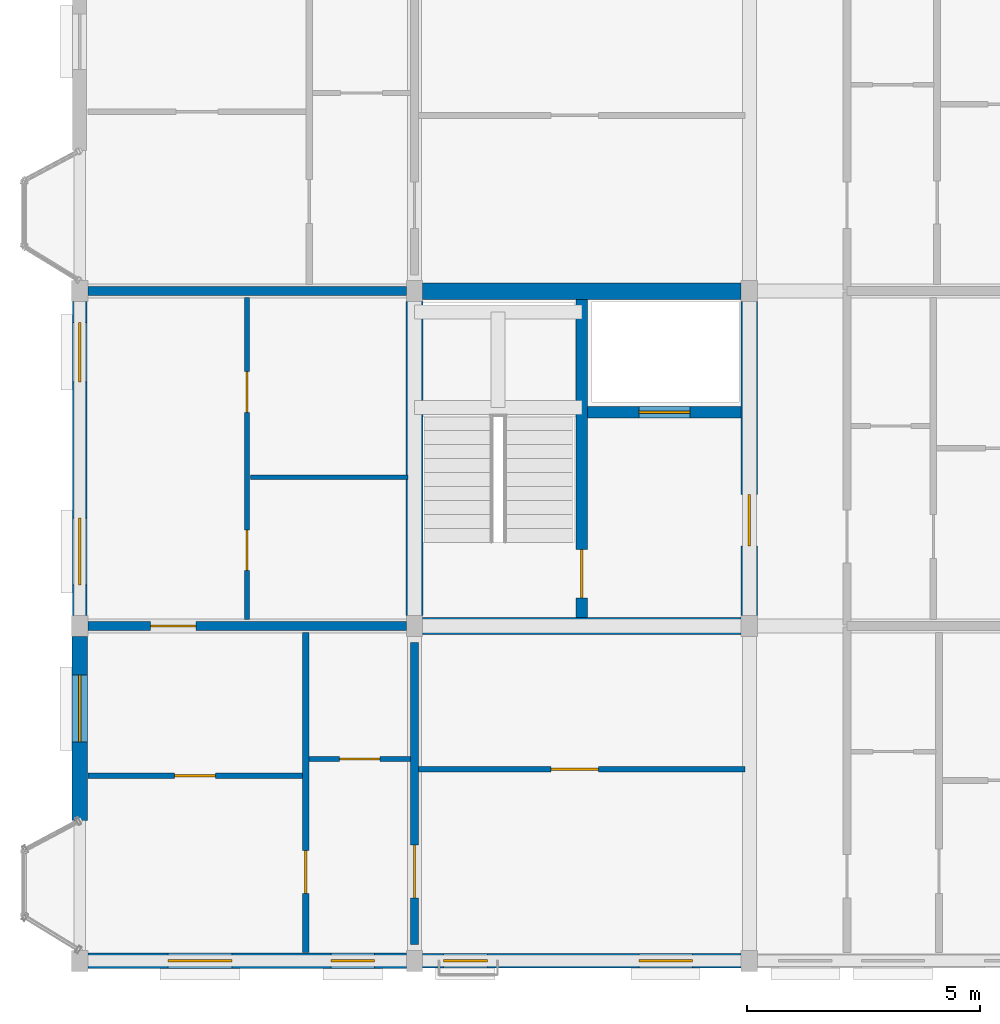
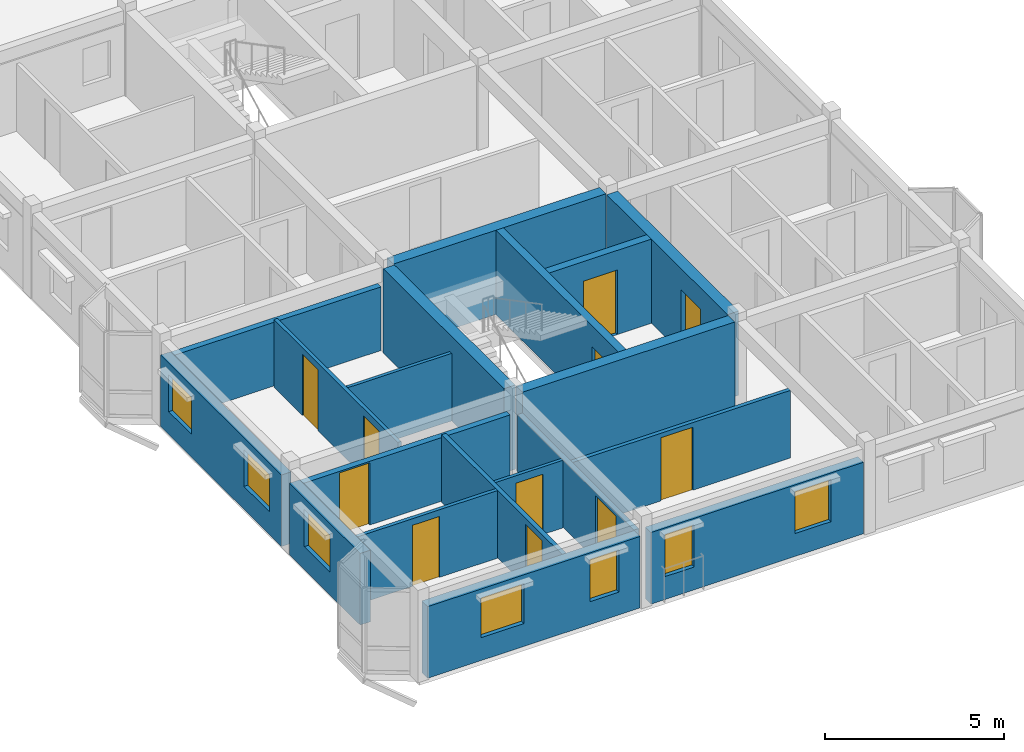
# One storey, part 16 of 22: 19 walls, 11 doors, 7 windows, 18 openings.
"""IFC4 building model written with IfcOpenShell, lengths in metres."""

from ifc_helpers import new_model, si_unit, direction, frame, frame_2d, origin, place, context, subcontext, project, spatial, rectangle, extrude, material, layer, layer_set, type_object, element, fill, save


model = new_model("IFC4")

# Units and contexts
model_context = context("Model", 3, precision=1e-05, world=origin(), true_north=direction((0.0, 1.0)))
body_context = subcontext(model_context, "Body", "Model", "MODEL_VIEW")
ifc_project = project(units=[si_unit("LENGTHUNIT", "METRE"), si_unit("AREAUNIT", "SQUARE_METRE"), si_unit("VOLUMEUNIT", "CUBIC_METRE"), si_unit("PLANEANGLEUNIT", "RADIAN"), si_unit("MASSUNIT", "GRAM", prefix="KILO"), si_unit("THERMODYNAMICTEMPERATUREUNIT", "KELVIN"), si_unit("POWERUNIT", "WATT")], contexts=[model_context])

# Site, building, storey
site_placement = place(None, origin())
site = spatial("IfcSite", under=ifc_project, at=site_placement, CompositionType="ELEMENT")
building_placement = place(site_placement, origin())
building = spatial("IfcBuilding", under=site, at=building_placement, Name="Tavuni Mirador Residences", CompositionType="ELEMENT")
storey_placement = place(building_placement, frame((0.0, 0.0, 45.449951171875)))
storey = spatial("IfcBuildingStorey", under=building, at=storey_placement, Name="L14", CompositionType="ELEMENT", Elevation=45.449951171875)

# Wall, opening, door
ifc_material_1 = material(Name="Precast concrete C40/50", Category="concrete")
ifc_layer_1 = layer(ifc_material_1, 0.25, Name="Precast concrete C40/50", Category="concrete")
ifc_layer_set_1 = layer_set([ifc_layer_1], Name="Precast concrete C40/50")
wall_type_1 = type_object("IfcWallType", Name="WT-COR250", PredefinedType="SHEAR", material=ifc_layer_set_1)
wall_1_placement = place(storey_placement, frame((14.39990234375, 14.580078125, 0.0), z_axis=(0.0, 0.0, 1.0), x_axis=(0.0, 1.0, 0.0)))
wall_1 = element("IfcWall", 1, at=wall_1_placement, inside=storey, type_object=wall_type_1, Name="CWALL-C1-L14-MID", PredefinedType="SHEAR", context=body_context, shape_type="SweptSolid", body=[
    extrude(rectangle(XDim=6.83984375, YDim=0.25, at=frame_2d((3.419921875, 0.0))), origin(), (0.0, 0.0, 1.0), 2.8701171875),
])
opening_1_placement = place(wall_1_placement, frame((0.419921875, 0.0, 0.0)))
opening_1 = element("IfcOpeningElement", 2, at=opening_1_placement, cuts=wall_1, Name="Opening D-01", PredefinedType="OPENING", context=body_context, shape_type="SweptSolid", body=[
    extrude(rectangle(XDim=1.050048828125, YDim=2.14990234375, at=frame_2d((0.52490234375, 1.074951171875))), frame((0.0, 0.135009765625, 0.0), z_axis=(0.0, -1.0, 0.0), x_axis=(1.0, 0.0, 0.0)), (0.0, 0.0, 1.0), 0.27001953125),
])
ifc_material_2 = material(Name="Solid core iroko timber", Category="wood")
door_type_1 = type_object("IfcDoorType", Name="DT-ST1050", OperationType="NOTDEFINED", PredefinedType="DOOR", material=ifc_material_2)
door_1_placement = place(opening_1_placement, origin())
door_1 = element("IfcDoor", 3, at=door_1_placement, inside=storey, type_object=door_type_1, Name="DR-2049", OperationType="SINGLE_SWING_LEFT", OverallHeight=2.14990234375, OverallWidth=1.050048828125, PredefinedType="DOOR", context=body_context, shape_type="SweptSolid", body=[
    extrude(rectangle(XDim=1.050048828125, YDim=2.14990234375, at=frame_2d((0.52490234375, 1.074951171875))), frame((0.0, 0.02490234375, 0.0), z_axis=(0.0, -1.0, 0.0), x_axis=(1.0, 0.0, 0.0)), (0.0, 0.0, 1.0), 0.050048828125),
])
fill(opening_1, door_1)

wall_2_placement = place(storey_placement, frame((14.52490234375, 19.0, 0.0), z_axis=(0.0, 0.0, 1.0), x_axis=(1.0, 0.0, 0.0)))
wall_2 = element("IfcWall", 4, at=wall_2_placement, inside=storey, type_object=wall_type_1, Name="CWALL-C1-L14-SHF", PredefinedType="SHEAR", context=body_context, shape_type="SweptSolid", body=[
    extrude(rectangle(XDim=3.295166015625, YDim=0.25, at=frame_2d((1.6474609375, 0.0))), origin(), (0.0, 0.0, 1.0), 2.8701171875),
])
opening_2_placement = place(wall_2_placement, frame((1.10009765625, 0.0, 0.0)))
opening_2 = element("IfcOpeningElement", 5, at=opening_2_placement, cuts=wall_2, Name="Opening LD-01", PredefinedType="OPENING", context=body_context, shape_type="SweptSolid", body=[
    extrude(rectangle(XDim=1.10009765625, YDim=2.199951171875, at=frame_2d((0.550048828125, 1.10009765625))), frame((0.0, 0.135009765625, 0.0), z_axis=(0.0, -1.0, 0.0), x_axis=(1.0, 0.0, 0.0)), (0.0, 0.0, 1.0), 0.27001953125),
])
ifc_material_3 = material(Name="Structural steel S355", Category="steel")
door_type_2 = type_object("IfcDoorType", Name="DT-LD-FF", OperationType="SLIDING_TO_LEFT", PredefinedType="DOOR", material=ifc_material_3)
door_2_placement = place(opening_2_placement, origin())
door_2 = element("IfcDoor", 6, at=door_2_placement, inside=storey, type_object=door_type_2, Name="Lift landing door FL-A1 L14", OperationType="SLIDING_TO_LEFT", OverallHeight=2.199951171875, OverallWidth=1.10009765625, PredefinedType="DOOR", context=body_context, shape_type="SweptSolid", body=[
    extrude(rectangle(XDim=1.10009765625, YDim=2.199951171875, at=frame_2d((0.550048828125, 1.10009765625))), frame((0.0, 0.02490234375, 0.0), z_axis=(0.0, -1.0, 0.0), x_axis=(1.0, 0.0, 0.0)), (0.0, 0.0, 1.0), 0.050048828125),
])
fill(opening_2, door_2)

# Walls
ifc_layer_2 = layer(ifc_material_1, 0.360107421875, Name="Precast concrete C40/50", Category="concrete")
ifc_layer_set_2 = layer_set([ifc_layer_2], Name="Precast concrete C40/50")
wall_type_2 = type_object("IfcWallType", Name="WT-COR360", PredefinedType="SHEAR", material=ifc_layer_set_2)
wall_3_placement = place(storey_placement, frame((10.800048828125, 14.625, 0.0), z_axis=(0.0, 0.0, 1.0), x_axis=(0.0, 1.0, 0.0)))
element("IfcWall", 7, at=wall_3_placement, inside=storey, type_object=wall_type_2, Name="CWALL-C1-L14-W", PredefinedType="SHEAR", context=body_context, shape_type="SweptSolid", body=[
    extrude(rectangle(XDim=6.75, YDim=0.360107421875, at=frame_2d((3.375, 0.0))), origin(), (0.0, 0.0, 1.0), 2.8701171875),
])
wall_4_placement = place(storey_placement, frame((10.97509765625, 21.60009765625, 0.0), z_axis=(0.0, 0.0, 1.0), x_axis=(1.0, 0.0, 0.0)))
element("IfcWall", 8, at=wall_4_placement, inside=storey, type_object=wall_type_2, Name="CWALL-C1-L14-N", PredefinedType="SHEAR", context=body_context, shape_type="SweptSolid", body=[
    extrude(rectangle(XDim=6.849853515625, YDim=0.360107421875, at=frame_2d((3.4248046875, 0.0))), origin(), (0.0, 0.0, 1.0), 2.8701171875),
])

# Wall, opening, door
wall_5_placement = place(storey_placement, frame((18.0, 14.625, 0.0), z_axis=(0.0, 0.0, 1.0), x_axis=(0.0, 1.0, 0.0)))
wall_5 = element("IfcWall", 9, at=wall_5_placement, inside=storey, type_object=wall_type_2, Name="CWALL-C1-L14-E", PredefinedType="SHEAR", context=body_context, shape_type="SweptSolid", body=[
    extrude(rectangle(XDim=6.75, YDim=0.360107421875, at=frame_2d((3.375, 0.0))), origin(), (0.0, 0.0, 1.0), 2.8701171875),
])
opening_3_placement = place(wall_5_placement, frame((1.5, 0.0, 0.0)))
opening_3 = element("IfcOpeningElement", 10, at=opening_3_placement, cuts=wall_5, Name="Opening D-02", PredefinedType="OPENING", context=body_context, shape_type="SweptSolid", body=[
    extrude(rectangle(XDim=1.10009765625, YDim=2.14990234375, at=frame_2d((0.550048828125, 1.074951171875))), frame((0.0, 0.18994140625, 0.0), z_axis=(0.0, -1.0, 0.0), x_axis=(1.0, 0.0, 0.0)), (0.0, 0.0, 1.0), 0.380126953125),
])
door_type_3 = type_object("IfcDoorType", Name="DT-LOB1100", OperationType="NOTDEFINED", PredefinedType="DOOR", material=ifc_material_2)
door_3_placement = place(opening_3_placement, frame((1.10009765625, 0.0, 0.0), z_axis=(0.0, 0.0, 1.0), x_axis=(-1.0, 0.0, 0.0)))
door_3 = element("IfcDoor", 11, at=door_3_placement, inside=storey, type_object=door_type_3, Name="DR-2048", OperationType="SINGLE_SWING_LEFT", OverallHeight=2.14990234375, OverallWidth=1.10009765625, PredefinedType="DOOR", context=body_context, shape_type="SweptSolid", body=[
    extrude(rectangle(XDim=1.10009765625, YDim=2.14990234375, at=frame_2d((0.550048828125, 1.074951171875))), frame((0.0, 0.02490234375, 0.0), z_axis=(0.0, -1.0, 0.0), x_axis=(1.0, 0.0, 0.0)), (0.0, 0.0, 1.0), 0.050048828125),
])
fill(opening_3, door_3)

# Wall
wall_6_placement = place(storey_placement, frame((10.97509765625, 14.39990234375, 0.0), z_axis=(0.0, 0.0, 1.0), x_axis=(1.0, 0.0, 0.0)))
element("IfcWall", 12, at=wall_6_placement, inside=storey, type_object=wall_type_2, Name="CWALL-C1-L14-SS", PredefinedType="SHEAR", context=body_context, shape_type="SweptSolid", body=[
    extrude(rectangle(XDim=6.849853515625, YDim=0.360107421875, at=frame_2d((3.4248046875, 0.0))), origin(), (0.0, 0.0, 1.0), 2.8701171875),
])

# Wall, opening, door
ifc_layer_3 = layer(ifc_material_1, 0.1650390625, Name="Precast concrete C40/50", Category="concrete")
ifc_layer_set_3 = layer_set([ifc_layer_3], Name="Precast concrete C40/50")
wall_type_3 = type_object("IfcWallType", Name="WT-CORR165", PredefinedType="PARTITIONING", material=ifc_layer_set_3)
wall_7_placement = place(storey_placement, frame((10.800048828125, 7.550048828125, 0.0), z_axis=(0.0, 0.0, 1.0), x_axis=(0.0, 1.0, 0.0)))
wall_7 = element("IfcWall", 13, at=wall_7_placement, inside=storey, type_object=wall_type_3, Name="CORW-BLK-A-L14-1-00", PredefinedType="PARTITIONING", context=body_context, shape_type="SweptSolid", body=[
    extrude(rectangle(XDim=6.5, YDim=0.1650390625, at=frame_2d((3.25, 0.0))), origin(), (0.0, 0.0, 1.0), 2.304931640625),
])
opening_4_placement = place(wall_7_placement, frame((1.0, 0.0, 0.0)))
opening_4 = element("IfcOpeningElement", 14, at=opening_4_placement, cuts=wall_7, Name="Opening D-20", PredefinedType="OPENING", context=body_context, shape_type="SweptSolid", body=[
    extrude(rectangle(XDim=1.139892578125, YDim=2.179931640625, at=frame_2d((0.56982421875, 1.08984375))), frame((0.0, 0.092529296875, 0.0), z_axis=(0.0, -1.0, 0.0), x_axis=(1.0, 0.0, 0.0)), (0.0, 0.0, 1.0), 0.18505859375),
])
door_type_4 = type_object("IfcDoorType", Name="DT-FD60-1140", OperationType="NOTDEFINED", PredefinedType="DOOR", material=ifc_material_2)
door_4_placement = place(opening_4_placement, origin())
door_4 = element("IfcDoor", 15, at=door_4_placement, inside=storey, type_object=door_type_4, Name="DR-2513", OperationType="SINGLE_SWING_RIGHT", OverallHeight=2.179931640625, OverallWidth=1.139892578125, PredefinedType="DOOR", context=body_context, shape_type="SweptSolid", body=[
    extrude(rectangle(XDim=1.139892578125, YDim=2.179931640625, at=frame_2d((0.56982421875, 1.08984375))), frame((0.0, 0.02490234375, 0.0), z_axis=(0.0, -1.0, 0.0), x_axis=(1.0, 0.0, 0.0)), (0.0, 0.0, 1.0), 0.050048828125),
])
fill(opening_4, door_4)

# Wall, openings, windows
ifc_layer_4 = layer(ifc_material_1, 0.330078125, Name="Precast concrete C40/50", Category="concrete")
ifc_layer_set_4 = layer_set([ifc_layer_4], Name="Precast concrete C40/50")
wall_type_4 = type_object("IfcWallType", Name="WT-EXT-COR330", PredefinedType="SOLIDWALL", material=ifc_layer_set_4)
wall_8_placement = place(storey_placement, frame((3.77490234375, 7.199951171875, 0.0), z_axis=(0.0, 0.0, 1.0), x_axis=(1.0, 0.0, 0.0)))
wall_8 = element("IfcWall", 16, at=wall_8_placement, inside=storey, type_object=wall_type_4, Name="EW-BLK-A-L14-S00", PredefinedType="SOLIDWALL", context=body_context, shape_type="SweptSolid", body=[
    extrude(rectangle(XDim=6.85009765625, YDim=0.330078125, at=frame_2d((3.425048828125, 0.0))), origin(), (0.0, 0.0, 1.0), 2.43994140625),
])
opening_5_placement = place(wall_8_placement, frame((1.722412109375, 0.0, 0.780029296875)))
opening_5 = element("IfcOpeningElement", 17, at=opening_5_placement, cuts=wall_8, Name="Opening WN-23", PredefinedType="OPENING", context=body_context, shape_type="SweptSolid", body=[
    extrude(rectangle(XDim=1.3798828125, YDim=1.360107421875, at=frame_2d((0.68994140625, 0.68017578125))), frame((0.0, 0.175048828125, 0.0), z_axis=(0.0, -1.0, 0.0), x_axis=(1.0, 0.0, 0.0)), (0.0, 0.0, 1.0), 0.35009765625),
])
opening_6_placement = place(wall_8_placement, frame((5.2275390625, 0.0, 0.780029296875)))
opening_6 = element("IfcOpeningElement", 18, at=opening_6_placement, cuts=wall_8, Name="Opening WN-25", PredefinedType="OPENING", context=body_context, shape_type="SweptSolid", body=[
    extrude(rectangle(XDim=0.93994140625, YDim=1.43994140625, at=frame_2d((0.469970703125, 0.719970703125))), frame((0.0, 0.175048828125, 0.0), z_axis=(0.0, -1.0, 0.0), x_axis=(1.0, 0.0, 0.0)), (0.0, 0.0, 1.0), 0.35009765625),
])
ifc_material_4 = material(Name="Laminated solar-control glass", Category="glass")
window_type_1 = type_object("IfcWindowType", Name="WNT-23", PartitioningType="SINGLE_PANEL", PredefinedType="WINDOW", material=ifc_material_4)
window_1_placement = place(opening_5_placement, origin())
window_1 = element("IfcWindow", 19, at=window_1_placement, inside=storey, type_object=window_type_1, Name="WIN-0488", OverallHeight=1.360107421875, OverallWidth=1.3798828125, PartitioningType="SINGLE_PANEL", PredefinedType="WINDOW", context=body_context, shape_type="SweptSolid", body=[
    extrude(rectangle(XDim=1.3798828125, YDim=1.360107421875, at=frame_2d((0.68994140625, 0.68017578125))), frame((0.0, 0.030029296875, 0.0), z_axis=(0.0, -1.0, 0.0), x_axis=(1.0, 0.0, 0.0)), (0.0, 0.0, 1.0), 0.06005859375),
])
fill(opening_5, window_1)
window_type_2 = type_object("IfcWindowType", Name="WNT-25", PartitioningType="SINGLE_PANEL", PredefinedType="WINDOW", material=ifc_material_4)
window_2_placement = place(opening_6_placement, origin())
window_2 = element("IfcWindow", 20, at=window_2_placement, inside=storey, type_object=window_type_2, Name="WIN-0489", OverallHeight=1.43994140625, OverallWidth=0.93994140625, PartitioningType="SINGLE_PANEL", PredefinedType="WINDOW", context=body_context, shape_type="SweptSolid", body=[
    extrude(rectangle(XDim=0.93994140625, YDim=1.43994140625, at=frame_2d((0.469970703125, 0.719970703125))), frame((0.0, 0.030029296875, 0.0), z_axis=(0.0, -1.0, 0.0), x_axis=(1.0, 0.0, 0.0)), (0.0, 0.0, 1.0), 0.06005859375),
])
fill(opening_6, window_2)

# Wall, opening, window
wall_9_placement = place(storey_placement, frame((3.60009765625, 14.175048828125, 0.0), z_axis=(0.0, 0.0, 1.0), x_axis=(0.0, -1.0, 0.0)))
wall_9 = element("IfcWall", 21, at=wall_9_placement, inside=storey, type_object=wall_type_4, Name="EW-BLK-A-L14-W00", PredefinedType="SOLIDWALL", context=body_context, shape_type="SweptSolid", body=[
    extrude(rectangle(XDim=3.955078125, YDim=0.330078125, at=frame_2d((1.9775390625, 0.0))), origin(), (0.0, 0.0, 1.0), 2.43994140625),
])
opening_7_placement = place(wall_9_placement, frame((0.83251953125, 0.0, 0.780029296875)))
opening_7 = element("IfcOpeningElement", 22, at=opening_7_placement, cuts=wall_9, Name="Opening WN-16", PredefinedType="OPENING", context=body_context, shape_type="SweptSolid", body=[
    extrude(rectangle(XDim=1.43994140625, YDim=1.260009765625, at=frame_2d((0.719970703125, 0.6298828125))), frame((0.0, 0.175048828125, 0.0), z_axis=(0.0, -1.0, 0.0), x_axis=(1.0, 0.0, 0.0)), (0.0, 0.0, 1.0), 0.35009765625),
])
window_type_3 = type_object("IfcWindowType", Name="WNT-16", PartitioningType="SINGLE_PANEL", PredefinedType="WINDOW", material=ifc_material_4)
window_3_placement = place(opening_7_placement, origin())
window_3 = element("IfcWindow", 23, at=window_3_placement, inside=storey, type_object=window_type_3, Name="WIN-0511", OverallHeight=1.260009765625, OverallWidth=1.43994140625, PartitioningType="SINGLE_PANEL", PredefinedType="WINDOW", context=body_context, shape_type="SweptSolid", body=[
    extrude(rectangle(XDim=1.43994140625, YDim=1.260009765625, at=frame_2d((0.719970703125, 0.6298828125))), frame((0.0, 0.030029296875, 0.0), z_axis=(0.0, -1.0, 0.0), x_axis=(1.0, 0.0, 0.0)), (0.0, 0.0, 1.0), 0.06005859375),
])
fill(opening_7, window_3)

# Wall, openings, windows
ifc_material_5 = material(Name="Sgraffito lime-rendered precast concrete C40/50", Category="concrete")
ifc_layer_5 = layer(ifc_material_5, 0.31494140625, Name="Sgraffito lime-rendered precast concrete C40/50", Category="concrete")
ifc_layer_set_5 = layer_set([ifc_layer_5], Name="Sgraffito lime-rendered precast concrete C40/50")
wall_type_5 = type_object("IfcWallType", Name="WT-EXT-PC315", PredefinedType="SOLIDWALL", material=ifc_layer_set_5)
wall_10_placement = place(storey_placement, frame((10.97509765625, 7.199951171875, 0.0), z_axis=(0.0, 0.0, 1.0), x_axis=(1.0, 0.0, 0.0)))
wall_10 = element("IfcWall", 24, at=wall_10_placement, inside=storey, type_object=wall_type_5, Name="EW-BLK-A-L14-S01", PredefinedType="SOLIDWALL", context=body_context, shape_type="SweptSolid", body=[
    extrude(rectangle(XDim=6.849853515625, YDim=0.31494140625, at=frame_2d((3.4248046875, 0.0))), origin(), (0.0, 0.0, 1.0), 2.43994140625),
])
opening_8_placement = place(wall_10_placement, frame((0.449951171875, 0.0, 0.780029296875)))
opening_8 = element("IfcOpeningElement", 25, at=opening_8_placement, cuts=wall_10, Name="Opening WN-25", PredefinedType="OPENING", context=body_context, shape_type="SweptSolid", body=[
    extrude(rectangle(XDim=0.93994140625, YDim=1.43994140625, at=frame_2d((0.469970703125, 0.719970703125))), frame((0.0, 0.16748046875, 0.0), z_axis=(0.0, -1.0, 0.0), x_axis=(1.0, 0.0, 0.0)), (0.0, 0.0, 1.0), 0.3349609375),
])
opening_9_placement = place(wall_10_placement, frame((4.64990234375, 0.0, 0.780029296875)))
opening_9 = element("IfcOpeningElement", 26, at=opening_9_placement, cuts=wall_10, Name="Opening WN-27", PredefinedType="OPENING", context=body_context, shape_type="SweptSolid", body=[
    extrude(rectangle(XDim=1.14990234375, YDim=1.43994140625, at=frame_2d((0.574951171875, 0.719970703125))), frame((0.0, 0.16748046875, 0.0), z_axis=(0.0, -1.0, 0.0), x_axis=(1.0, 0.0, 0.0)), (0.0, 0.0, 1.0), 0.3349609375),
])
window_4_placement = place(opening_8_placement, origin())
window_4 = element("IfcWindow", 27, at=window_4_placement, inside=storey, type_object=window_type_2, Name="WIN-0490", OverallHeight=1.43994140625, OverallWidth=0.93994140625, PartitioningType="SINGLE_PANEL", PredefinedType="WINDOW", context=body_context, shape_type="SweptSolid", body=[
    extrude(rectangle(XDim=0.93994140625, YDim=1.43994140625, at=frame_2d((0.469970703125, 0.719970703125))), frame((0.0, 0.030029296875, 0.0), z_axis=(0.0, -1.0, 0.0), x_axis=(1.0, 0.0, 0.0)), (0.0, 0.0, 1.0), 0.06005859375),
])
fill(opening_8, window_4)
window_type_4 = type_object("IfcWindowType", Name="WNT-27", PartitioningType="SINGLE_PANEL", PredefinedType="WINDOW", material=ifc_material_4)
window_5_placement = place(opening_9_placement, origin())
window_5 = element("IfcWindow", 28, at=window_5_placement, inside=storey, type_object=window_type_4, Name="WIN-0491", OverallHeight=1.43994140625, OverallWidth=1.14990234375, PartitioningType="SINGLE_PANEL", PredefinedType="WINDOW", context=body_context, shape_type="SweptSolid", body=[
    extrude(rectangle(XDim=1.14990234375, YDim=1.43994140625, at=frame_2d((0.574951171875, 0.719970703125))), frame((0.0, 0.030029296875, 0.0), z_axis=(0.0, -1.0, 0.0), x_axis=(1.0, 0.0, 0.0)), (0.0, 0.0, 1.0), 0.06005859375),
])
fill(opening_9, window_5)

wall_11_placement = place(storey_placement, frame((3.60009765625, 21.375, 0.0), z_axis=(0.0, 0.0, 1.0), x_axis=(0.0, -1.0, 0.0)))
wall_11 = element("IfcWall", 29, at=wall_11_placement, inside=storey, type_object=wall_type_5, Name="EW-BLK-A-L14-W01", PredefinedType="SOLIDWALL", context=body_context, shape_type="SweptSolid", body=[
    extrude(rectangle(XDim=6.75, YDim=0.31494140625, at=frame_2d((3.375, 0.0))), origin(), (0.0, 0.0, 1.0), 2.43994140625),
])
opening_10_placement = place(wall_11_placement, frame((0.449951171875, 0.0, 0.780029296875)))
opening_10 = element("IfcOpeningElement", 30, at=opening_10_placement, cuts=wall_11, Name="Opening WN-14", PredefinedType="OPENING", context=body_context, shape_type="SweptSolid", body=[
    extrude(rectangle(XDim=1.280029296875, YDim=1.260009765625, at=frame_2d((0.64013671875, 0.6298828125))), frame((0.0, 0.16748046875, 0.0), z_axis=(0.0, -1.0, 0.0), x_axis=(1.0, 0.0, 0.0)), (0.0, 0.0, 1.0), 0.3349609375),
])
opening_11_placement = place(wall_11_placement, frame((4.64990234375, 0.0, 0.780029296875)))
opening_11 = element("IfcOpeningElement", 31, at=opening_11_placement, cuts=wall_11, Name="Opening WN-16", PredefinedType="OPENING", context=body_context, shape_type="SweptSolid", body=[
    extrude(rectangle(XDim=1.43994140625, YDim=1.260009765625, at=frame_2d((0.719970703125, 0.6298828125))), frame((0.0, 0.16748046875, 0.0), z_axis=(0.0, -1.0, 0.0), x_axis=(1.0, 0.0, 0.0)), (0.0, 0.0, 1.0), 0.3349609375),
])
window_type_5 = type_object("IfcWindowType", Name="WNT-14", PartitioningType="SINGLE_PANEL", PredefinedType="WINDOW", material=ifc_material_4)
window_6_placement = place(opening_10_placement, origin())
window_6 = element("IfcWindow", 32, at=window_6_placement, inside=storey, type_object=window_type_5, Name="WIN-0509", OverallHeight=1.260009765625, OverallWidth=1.280029296875, PartitioningType="SINGLE_PANEL", PredefinedType="WINDOW", context=body_context, shape_type="SweptSolid", body=[
    extrude(rectangle(XDim=1.280029296875, YDim=1.260009765625, at=frame_2d((0.64013671875, 0.6298828125))), frame((0.0, 0.030029296875, 0.0), z_axis=(0.0, -1.0, 0.0), x_axis=(1.0, 0.0, 0.0)), (0.0, 0.0, 1.0), 0.06005859375),
])
fill(opening_10, window_6)
window_7_placement = place(opening_11_placement, origin())
window_7 = element("IfcWindow", 33, at=window_7_placement, inside=storey, type_object=window_type_3, Name="WIN-0510", OverallHeight=1.260009765625, OverallWidth=1.43994140625, PartitioningType="SINGLE_PANEL", PredefinedType="WINDOW", context=body_context, shape_type="SweptSolid", body=[
    extrude(rectangle(XDim=1.43994140625, YDim=1.260009765625, at=frame_2d((0.719970703125, 0.6298828125))), frame((0.0, 0.030029296875, 0.0), z_axis=(0.0, -1.0, 0.0), x_axis=(1.0, 0.0, 0.0)), (0.0, 0.0, 1.0), 0.06005859375),
])
fill(opening_11, window_7)

# Wall, opening, door
ifc_material_6 = material(Name="Acoustic gypsum and concrete block partition", Category="concrete")
ifc_layer_6 = layer(ifc_material_6, 0.10498046875, Name="Acoustic gypsum and concrete block partition", Category="concrete")
ifc_layer_set_6 = layer_set([ifc_layer_6], Name="Acoustic gypsum and concrete block partition")
wall_type_6 = type_object("IfcWallType", Name="WT-PART105", PredefinedType="PARTITIONING", material=ifc_layer_set_6)
wall_12_placement = place(storey_placement, frame((8.530029296875, 11.5400390625, 0.0), z_axis=(0.0, 0.0, 1.0), x_axis=(1.0, 0.0, 0.0)))
wall_12 = element("IfcWall", 34, at=wall_12_placement, inside=storey, type_object=wall_type_6, Name="PW-BLK-A-L14-W00-IN1", PredefinedType="PARTITIONING", context=body_context, shape_type="SweptSolid", body=[
    extrude(rectangle(XDim=2.179931640625, YDim=0.10498046875, at=frame_2d((1.08984375, 0.0))), origin(), (0.0, 0.0, 1.0), 2.304931640625),
])
opening_12_placement = place(wall_12_placement, frame((0.655029296875, 0.0, 0.0)))
opening_12 = element("IfcOpeningElement", 35, at=opening_12_placement, cuts=wall_12, Name="Opening D-10", PredefinedType="OPENING", context=body_context, shape_type="SweptSolid", body=[
    extrude(rectangle(XDim=0.8701171875, YDim=2.050048828125, at=frame_2d((0.43505859375, 1.02490234375))), frame((0.0, 0.0625, 0.0), z_axis=(0.0, -1.0, 0.0), x_axis=(1.0, 0.0, 0.0)), (0.0, 0.0, 1.0), 0.125),
])
door_type_5 = type_object("IfcDoorType", Name="DT-WC870", OperationType="NOTDEFINED", PredefinedType="DOOR", material=ifc_material_2)
door_5_placement = place(opening_12_placement, origin())
door_5 = element("IfcDoor", 36, at=door_5_placement, inside=storey, type_object=door_type_5, Name="DR-3380", OperationType="SINGLE_SWING_LEFT", OverallHeight=2.050048828125, OverallWidth=0.8701171875, PredefinedType="DOOR", context=body_context, shape_type="SweptSolid", body=[
    extrude(rectangle(XDim=0.8701171875, YDim=2.050048828125, at=frame_2d((0.43505859375, 1.02490234375))), frame((0.0, 0.02490234375, 0.0), z_axis=(0.0, -1.0, 0.0), x_axis=(1.0, 0.0, 0.0)), (0.0, 0.0, 1.0), 0.050048828125),
])
fill(opening_12, door_5)

# Wall
wall_13_placement = place(storey_placement, frame((7.27001953125, 17.60009765625, 0.0), z_axis=(0.0, 0.0, 1.0), x_axis=(1.0, 0.0, 0.0)))
element("IfcWall", 37, at=wall_13_placement, inside=storey, type_object=wall_type_6, Name="PW-BLK-A-L14-WC01-H", PredefinedType="PARTITIONING", context=body_context, shape_type="SweptSolid", body=[
    extrude(rectangle(XDim=3.389892578125, YDim=0.10498046875, at=frame_2d((1.69482421875, 0.0))), origin(), (0.0, 0.0, 1.0), 2.304931640625),
])

# Wall, opening, door
ifc_layer_7 = layer(ifc_material_6, 0.114990234375, Name="Acoustic gypsum and concrete block partition", Category="concrete")
ifc_layer_set_7 = layer_set([ifc_layer_7], Name="Acoustic gypsum and concrete block partition")
wall_type_7 = type_object("IfcWallType", Name="WT-PART115", PredefinedType="PARTITIONING", material=ifc_layer_set_7)
wall_14_placement = place(storey_placement, frame((3.77490234375, 11.179931640625, 0.0), z_axis=(0.0, 0.0, 1.0), x_axis=(1.0, 0.0, 0.0)))
wall_14 = element("IfcWall", 38, at=wall_14_placement, inside=storey, type_object=wall_type_7, Name="PW-BLK-A-L14-W00-OUT", PredefinedType="PARTITIONING", context=body_context, shape_type="SweptSolid", body=[
    extrude(rectangle(XDim=4.614990234375, YDim=0.114990234375, at=frame_2d((2.3076171875, 0.0))), origin(), (0.0, 0.0, 1.0), 2.304931640625),
])
opening_13_placement = place(wall_14_placement, frame((1.867431640625, 0.0, 0.0)))
opening_13 = element("IfcOpeningElement", 39, at=opening_13_placement, cuts=wall_14, Name="Opening D-08", PredefinedType="OPENING", context=body_context, shape_type="SweptSolid", body=[
    extrude(rectangle(XDim=0.8798828125, YDim=2.080078125, at=frame_2d((0.43994140625, 1.0400390625))), frame((0.0, 0.0673828125, 0.0), z_axis=(0.0, -1.0, 0.0), x_axis=(1.0, 0.0, 0.0)), (0.0, 0.0, 1.0), 0.135009765625),
])
door_type_6 = type_object("IfcDoorType", Name="DT-BED880", OperationType="NOTDEFINED", PredefinedType="DOOR", material=ifc_material_2)
door_6_placement = place(opening_13_placement, origin())
door_6 = element("IfcDoor", 40, at=door_6_placement, inside=storey, type_object=door_type_6, Name="DR-3379", OperationType="SINGLE_SWING_RIGHT", OverallHeight=2.080078125, OverallWidth=0.8798828125, PredefinedType="DOOR", context=body_context, shape_type="SweptSolid", body=[
    extrude(rectangle(XDim=0.8798828125, YDim=2.080078125, at=frame_2d((0.43994140625, 1.0400390625))), frame((0.0, 0.02490234375, 0.0), z_axis=(0.0, -1.0, 0.0), x_axis=(1.0, 0.0, 0.0)), (0.0, 0.0, 1.0), 0.050048828125),
])
fill(opening_13, door_6)

# Wall, openings, doors
wall_15_placement = place(storey_placement, frame((7.199951171875, 14.5400390625, 0.0), z_axis=(0.0, 0.0, 1.0), x_axis=(0.0, 1.0, 0.0)))
wall_15 = element("IfcWall", 41, at=wall_15_placement, inside=storey, type_object=wall_type_7, Name="PW-BLK-A-L14-WC01-M", PredefinedType="PARTITIONING", context=body_context, shape_type="SweptSolid", body=[
    extrude(rectangle(XDim=6.919921875, YDim=0.114990234375, at=frame_2d((3.4599609375, 0.0))), origin(), (0.0, 0.0, 1.0), 2.304931640625),
])
opening_14_placement = place(wall_15_placement, frame((1.050048828125, 0.0, 0.0)))
opening_14 = element("IfcOpeningElement", 42, at=opening_14_placement, cuts=wall_15, Name="Opening D-10", PredefinedType="OPENING", context=body_context, shape_type="SweptSolid", body=[
    extrude(rectangle(XDim=0.8701171875, YDim=2.050048828125, at=frame_2d((0.43505859375, 1.02490234375))), frame((0.0, 0.0673828125, 0.0), z_axis=(0.0, -1.0, 0.0), x_axis=(1.0, 0.0, 0.0)), (0.0, 0.0, 1.0), 0.135009765625),
])
opening_15_placement = place(wall_15_placement, frame((4.449951171875, 0.0, 0.0)))
opening_15 = element("IfcOpeningElement", 43, at=opening_15_placement, cuts=wall_15, Name="Opening D-08", PredefinedType="OPENING", context=body_context, shape_type="SweptSolid", body=[
    extrude(rectangle(XDim=0.8798828125, YDim=2.080078125, at=frame_2d((0.43994140625, 1.0400390625))), frame((0.0, 0.0673828125, 0.0), z_axis=(0.0, -1.0, 0.0), x_axis=(1.0, 0.0, 0.0)), (0.0, 0.0, 1.0), 0.135009765625),
])
door_7_placement = place(opening_15_placement, origin())
door_7 = element("IfcDoor", 44, at=door_7_placement, inside=storey, type_object=door_type_6, Name="DR-3386", OperationType="SINGLE_SWING_LEFT", OverallHeight=2.080078125, OverallWidth=0.8798828125, PredefinedType="DOOR", context=body_context, shape_type="SweptSolid", body=[
    extrude(rectangle(XDim=0.8798828125, YDim=2.080078125, at=frame_2d((0.43994140625, 1.0400390625))), frame((0.0, 0.02490234375, 0.0), z_axis=(0.0, -1.0, 0.0), x_axis=(1.0, 0.0, 0.0)), (0.0, 0.0, 1.0), 0.050048828125),
])
fill(opening_15, door_7)
door_8_placement = place(opening_14_placement, origin())
door_8 = element("IfcDoor", 45, at=door_8_placement, inside=storey, type_object=door_type_5, Name="DR-3385", OperationType="SINGLE_SWING_RIGHT", OverallHeight=2.050048828125, OverallWidth=0.8701171875, PredefinedType="DOOR", context=body_context, shape_type="SweptSolid", body=[
    extrude(rectangle(XDim=0.8701171875, YDim=2.050048828125, at=frame_2d((0.43505859375, 1.02490234375))), frame((0.0, 0.02490234375, 0.0), z_axis=(0.0, -1.0, 0.0), x_axis=(1.0, 0.0, 0.0)), (0.0, 0.0, 1.0), 0.050048828125),
])
fill(opening_14, door_8)

# Wall, opening, door
ifc_layer_8 = layer(ifc_material_6, 0.125, Name="Acoustic gypsum and concrete block partition", Category="concrete")
ifc_layer_set_8 = layer_set([ifc_layer_8], Name="Acoustic gypsum and concrete block partition")
wall_type_8 = type_object("IfcWallType", Name="WT-PART125", PredefinedType="PARTITIONING", material=ifc_layer_set_8)
wall_16_placement = place(storey_placement, frame((10.889892578125, 11.320068359375, 0.0), z_axis=(0.0, 0.0, 1.0), x_axis=(1.0, 0.0, 0.0)))
wall_16 = element("IfcWall", 46, at=wall_16_placement, inside=storey, type_object=wall_type_8, Name="PW-SPN-BLK-A-L14-00", PredefinedType="PARTITIONING", context=body_context, shape_type="SweptSolid", body=[
    extrude(rectangle(XDim=7.02001953125, YDim=0.125, at=frame_2d((3.510009765625, 0.0))), origin(), (0.0, 0.0, 1.0), 2.304931640625),
])
opening_16_placement = place(wall_16_placement, frame((2.85009765625, 0.0, 0.0)))
opening_16 = element("IfcOpeningElement", 47, at=opening_16_placement, cuts=wall_16, Name="Opening D-13", PredefinedType="OPENING", context=body_context, shape_type="SweptSolid", body=[
    extrude(rectangle(XDim=1.02001953125, YDim=2.14990234375, at=frame_2d((0.510009765625, 1.074951171875))), frame((0.0, 0.072509765625, 0.0), z_axis=(0.0, -1.0, 0.0), x_axis=(1.0, 0.0, 0.0)), (0.0, 0.0, 1.0), 0.14501953125),
])
door_type_7 = type_object("IfcDoorType", Name="DT-MTG1020", OperationType="NOTDEFINED", PredefinedType="DOOR", material=ifc_material_2)
door_9_placement = place(opening_16_placement, origin())
door_9 = element("IfcDoor", 48, at=door_9_placement, inside=storey, type_object=door_type_7, Name="DR-3378", OperationType="SINGLE_SWING_LEFT", OverallHeight=2.14990234375, OverallWidth=1.02001953125, PredefinedType="DOOR", context=body_context, shape_type="SweptSolid", body=[
    extrude(rectangle(XDim=1.02001953125, YDim=2.14990234375, at=frame_2d((0.510009765625, 1.074951171875))), frame((0.0, 0.02490234375, 0.0), z_axis=(0.0, -1.0, 0.0), x_axis=(1.0, 0.0, 0.0)), (0.0, 0.0, 1.0), 0.050048828125),
])
fill(opening_16, door_9)

ifc_layer_9 = layer(ifc_material_6, 0.139892578125, Name="Acoustic gypsum and concrete block partition", Category="concrete")
ifc_layer_set_9 = layer_set([ifc_layer_9], Name="Acoustic gypsum and concrete block partition")
wall_type_9 = type_object("IfcWallType", Name="WT-PART140", PredefinedType="PARTITIONING", material=ifc_layer_set_9)
wall_17_placement = place(storey_placement, frame((8.4599609375, 7.375, 0.0), z_axis=(0.0, 0.0, 1.0), x_axis=(0.0, 1.0, 0.0)))
wall_17 = element("IfcWall", 49, at=wall_17_placement, inside=storey, type_object=wall_type_9, Name="PW-BLK-A-L14-W00-MID", PredefinedType="PARTITIONING", context=body_context, shape_type="SweptSolid", body=[
    extrude(rectangle(XDim=6.885009765625, YDim=0.139892578125, at=frame_2d((3.4423828125, 0.0))), origin(), (0.0, 0.0, 1.0), 2.304931640625),
])
opening_17_placement = place(wall_17_placement, frame((1.27490234375, 0.0, 0.0)))
opening_17 = element("IfcOpeningElement", 50, at=opening_17_placement, cuts=wall_17, Name="Opening D-06", PredefinedType="OPENING", context=body_context, shape_type="SweptSolid", body=[
    extrude(rectangle(XDim=0.919921875, YDim=2.10009765625, at=frame_2d((0.4599609375, 1.050048828125))), frame((0.0, 0.080078125, 0.0), z_axis=(0.0, -1.0, 0.0), x_axis=(1.0, 0.0, 0.0)), (0.0, 0.0, 1.0), 0.159912109375),
])
door_type_8 = type_object("IfcDoorType", Name="DT-INT920", OperationType="NOTDEFINED", PredefinedType="DOOR", material=ifc_material_2)
door_10_placement = place(opening_17_placement, origin())
door_10 = element("IfcDoor", 51, at=door_10_placement, inside=storey, type_object=door_type_8, Name="DR-3381", OperationType="SINGLE_SWING_RIGHT", OverallHeight=2.10009765625, OverallWidth=0.919921875, PredefinedType="DOOR", context=body_context, shape_type="SweptSolid", body=[
    extrude(rectangle(XDim=0.919921875, YDim=2.10009765625, at=frame_2d((0.4599609375, 1.050048828125))), frame((0.0, 0.02490234375, 0.0), z_axis=(0.0, -1.0, 0.0), x_axis=(1.0, 0.0, 0.0)), (0.0, 0.0, 1.0), 0.050048828125),
])
fill(opening_17, door_10)

ifc_layer_10 = layer(ifc_material_1, 0.195068359375, Name="Precast concrete C40/50", Category="concrete")
ifc_layer_set_10 = layer_set([ifc_layer_10], Name="Precast concrete C40/50")
wall_type_10 = type_object("IfcWallType", Name="WT-XW195", PredefinedType="SOLIDWALL", material=ifc_layer_set_10)
wall_18_placement = place(storey_placement, frame((3.77490234375, 14.39990234375, 0.0), z_axis=(0.0, 0.0, 1.0), x_axis=(1.0, 0.0, 0.0)))
wall_18 = element("IfcWall", 52, at=wall_18_placement, inside=storey, type_object=wall_type_10, Name="XW-BLK-A-L14-W-01", PredefinedType="SOLIDWALL", context=body_context, shape_type="SweptSolid", body=[
    extrude(rectangle(XDim=6.85009765625, YDim=0.195068359375, at=frame_2d((3.425048828125, 0.0))), origin(), (0.0, 0.0, 1.0), 2.170166015625),
])
opening_18_placement = place(wall_18_placement, frame((1.35009765625, 0.0, 0.0)))
opening_18 = element("IfcOpeningElement", 53, at=opening_18_placement, cuts=wall_18, Name="Opening D-04", PredefinedType="OPENING", context=body_context, shape_type="SweptSolid", body=[
    extrude(rectangle(XDim=0.97998046875, YDim=2.1201171875, at=frame_2d((0.489990234375, 1.06005859375))), frame((0.0, 0.107421875, 0.0), z_axis=(0.0, -1.0, 0.0), x_axis=(1.0, 0.0, 0.0)), (0.0, 0.0, 1.0), 0.215087890625),
])
door_type_9 = type_object("IfcDoorType", Name="DT-FD60-980", OperationType="NOTDEFINED", PredefinedType="DOOR", material=ifc_material_2)
door_11_placement = place(opening_18_placement, origin())
door_11 = element("IfcDoor", 54, at=door_11_placement, inside=storey, type_object=door_type_9, Name="DR-4702", OperationType="SINGLE_SWING_LEFT", OverallHeight=2.1201171875, OverallWidth=0.97998046875, PredefinedType="DOOR", context=body_context, shape_type="SweptSolid", body=[
    extrude(rectangle(XDim=0.97998046875, YDim=2.1201171875, at=frame_2d((0.489990234375, 1.06005859375))), frame((0.0, 0.02490234375, 0.0), z_axis=(0.0, -1.0, 0.0), x_axis=(1.0, 0.0, 0.0)), (0.0, 0.0, 1.0), 0.050048828125),
])
fill(opening_18, door_11)

# Wall
wall_19_placement = place(storey_placement, frame((3.77490234375, 21.60009765625, 0.0), z_axis=(0.0, 0.0, 1.0), x_axis=(1.0, 0.0, 0.0)))
element("IfcWall", 55, at=wall_19_placement, inside=storey, type_object=wall_type_10, Name="XW-BLK-A-L14-W-02", PredefinedType="SOLIDWALL", context=body_context, shape_type="SweptSolid", body=[
    extrude(rectangle(XDim=6.85009765625, YDim=0.195068359375, at=frame_2d((3.425048828125, 0.0))), origin(), (0.0, 0.0, 1.0), 2.170166015625),
])

save(model, "model.ifc")
